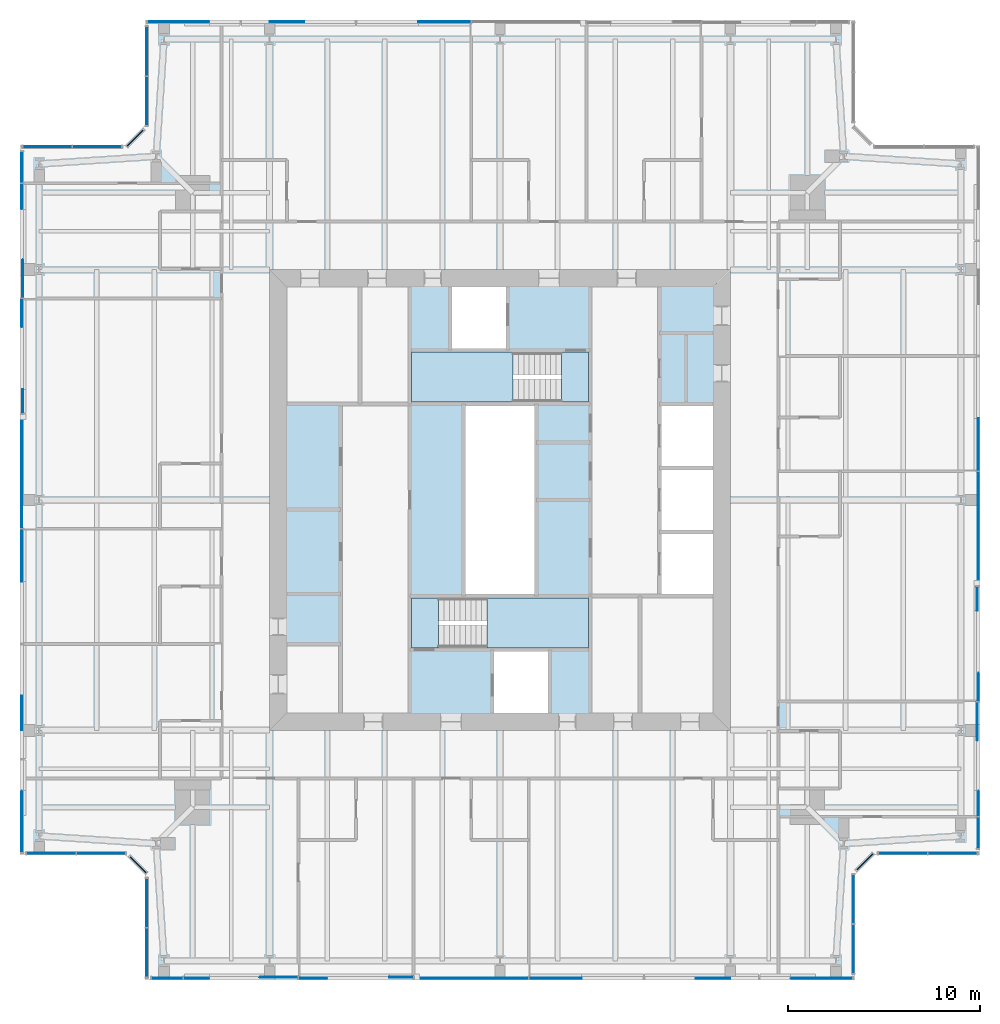
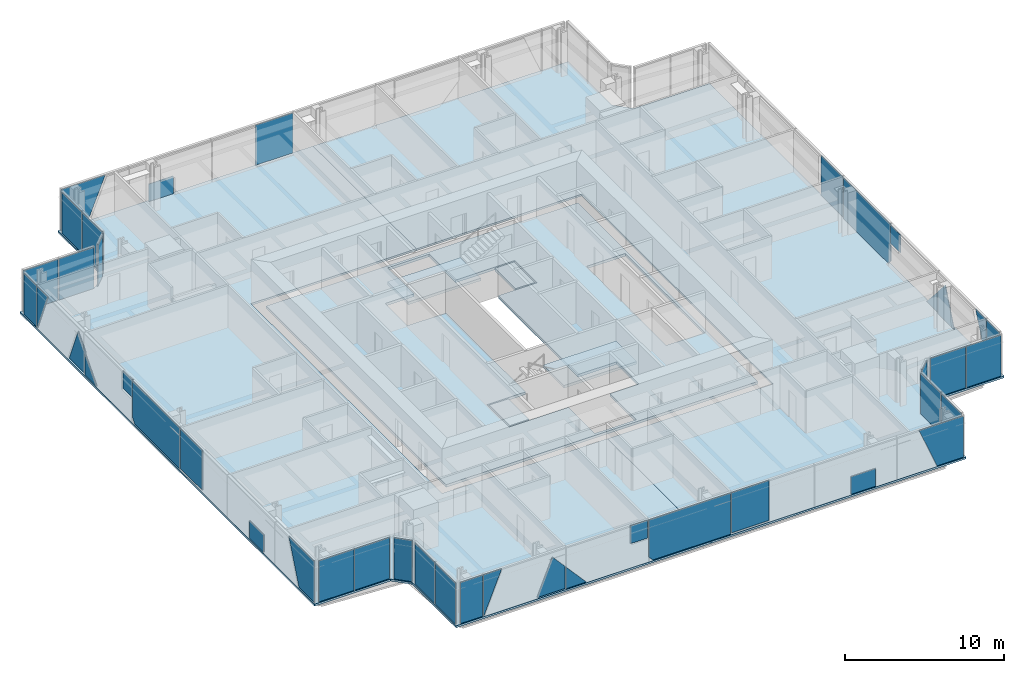
# One storey, part 10 of 18: 43 plates, 7 slabs, 15 elements without a shape of their own.
"""IFC4 building model written with IfcOpenShell, lengths in metres."""

from ifc_helpers import new_model, si_unit, direction, frame, origin, origin_2d, place, context, subcontext, project, spatial, polyline, rectangle, outline, extrude, material, layer, layer_set, type_object, element, aggregate, save


model = new_model("IFC4")

# Units and contexts
model_context = context("Model", 3, precision=1e-05, world=origin(), true_north=direction((0.0, 1.0)))
body_context = subcontext(model_context, "Body", "Model", "MODEL_VIEW")
ifc_project = project(units=[si_unit("LENGTHUNIT", "METRE"), si_unit("AREAUNIT", "SQUARE_METRE"), si_unit("VOLUMEUNIT", "CUBIC_METRE"), si_unit("PLANEANGLEUNIT", "RADIAN"), si_unit("MASSUNIT", "GRAM", prefix="KILO")], contexts=[model_context])

# Site, building, storey
site_placement = place(None, origin())
site = spatial("IfcSite", under=ifc_project, at=site_placement, CompositionType="ELEMENT")
building_placement = place(site_placement, origin())
building = spatial("IfcBuilding", under=site, at=building_placement, Name="Fenwick Lantern Interchange", CompositionType="ELEMENT")
storey_placement = place(building_placement, frame((0.0, 0.0, 290.0)))
storey = spatial("IfcBuildingStorey", under=building, at=storey_placement, Name="L70", CompositionType="ELEMENT", Elevation=290.0)

# Slabs
ifc_material_1 = material(Name="Concrete f'c 35 MPa", Category="concrete")
ifc_layer_1 = layer(ifc_material_1, 0.199951171875)
ifc_layer_set_1 = layer_set([ifc_layer_1], Name="CORE FLOOR SLAB 200")
slab_type_1 = type_object("IfcSlabType", Name="CORE FLOOR SLAB 200", PredefinedType="FLOOR", material=ifc_layer_set_1)
slab_1_placement = place(storey_placement, frame((0.0, 0.0, -0.199951171875)))
element("IfcSlab", 1, at=slab_1_placement, inside=storey, type_object=slab_type_1, Name="L70/SLAB/CORE", PredefinedType="FLOOR", context=body_context, shape_type="SweptSolid", body=[
    extrude(outline(polyline([(13.699951171875, 36.300048828125), (36.300048828125, 36.300048828125), (36.300048828125, 13.699951171875), (13.699951171875, 13.699951171875), (13.699951171875, 36.300048828125)]), holes=[polyline([(24.60009765625, 13.89990234375), (27.60009765625, 13.89990234375), (27.60009765625, 17.199951171875), (29.699951171875, 17.199951171875), (29.699951171875, 20.0), (26.89990234375, 20.0), (26.89990234375, 30.0), (29.699951171875, 30.0), (29.699951171875, 32.800048828125), (25.39990234375, 32.800048828125), (25.39990234375, 36.10009765625), (22.39990234375, 36.10009765625), (22.39990234375, 32.800048828125), (20.300048828125, 32.800048828125), (20.300048828125, 30.0), (23.10009765625, 30.0), (23.10009765625, 20.0), (20.300048828125, 20.0), (20.300048828125, 17.199951171875), (24.60009765625, 17.199951171875), (24.60009765625, 13.89990234375)]), polyline([(33.300048828125, 20.0), (36.10009765625, 20.0), (36.10009765625, 23.333251953125), (36.10009765625, 26.666748046875), (36.10009765625, 30.0), (33.300048828125, 30.0), (33.300048828125, 26.666748046875), (33.300048828125, 23.333251953125), (33.300048828125, 20.0)])]), origin(), (0.0, 0.0, 1.0), 0.199951171875),
])
ifc_material_2 = material(Name="Concrete f'c 35 MPa", Category="concrete")
ifc_layer_2 = layer(ifc_material_2, 0.14990234375)
ifc_layer_set_2 = layer_set([ifc_layer_2], Name="Concrete f'c 35 MPa")
slab_type_2 = type_object("IfcSlabType", Name="FLOOR SLAB 150", PredefinedType="FLOOR", material=ifc_layer_set_2)
slab_2_placement = place(storey_placement, frame((0.0, 0.0, -0.14990234375)))
element("IfcSlab", 2, at=slab_2_placement, inside=storey, type_object=slab_type_2, Name="L70/SLAB/FW", PredefinedType="FLOOR", context=body_context, shape_type="SweptSolid", body=[
    extrude(outline(polyline([(6.5, 0.0), (6.5, 5.5), (5.5, 6.5), (0.0, 6.5), (0.0, 43.5), (5.5, 43.5), (6.5, 44.5), (6.5, 50.0), (25.0, 50.0), (25.0, 37.0), (13.0, 37.0), (13.0, 13.0), (25.0, 13.0), (25.0, 0.0), (6.5, 0.0)])), origin(), (0.0, 0.0, 1.0), 0.14990234375),
])
slab_3_placement = place(storey_placement, frame((0.0, 0.0, -0.14990234375)))
element("IfcSlab", 3, at=slab_3_placement, inside=storey, type_object=slab_type_2, Name="L70/SLAB/FE", PredefinedType="FLOOR", context=body_context, shape_type="SweptSolid", body=[
    extrude(outline(polyline([(43.5, 50.0), (43.5, 44.5), (44.5, 43.5), (50.0, 43.5), (50.0, 6.5), (44.5, 6.5), (43.5, 5.5), (43.5, 0.0), (25.0, 0.0), (25.0, 13.0), (37.0, 13.0), (37.0, 37.0), (25.0, 37.0), (25.0, 50.0), (43.5, 50.0)])), origin(), (0.0, 0.0, 1.0), 0.14990234375),
])

# Curtain wall, plates
ifc_material_3 = material(Name="Aluminium curtain wall frame", Category="aluminium")
curtain_wall_type = type_object("IfcCurtainWallType", Name="HOTEL CURTAIN WALL", PredefinedType="USERDEFINED", material=ifc_material_3)
curtain_wall_1_placement = place(storey_placement, origin())
curtain_wall_1 = element("IfcCurtainWall", 4, at=curtain_wall_1_placement, inside=storey, type_object=curtain_wall_type, Name="Hotel curtain wall 01", ObjectType="HOTEL CURTAIN WALL", PredefinedType="USERDEFINED")
ifc_material_4 = material(Name="Vision glass, acoustic laminated double glazed unit", Category="glass")
ifc_layer_3 = layer(ifc_material_4, 0.052001953125)
ifc_layer_set_3 = layer_set([ifc_layer_3], Name="HOTEL CURTAIN WALL PANEL 52")
plate_type = type_object("IfcPlateType", Name="HOTEL CURTAIN WALL PANEL 52", PredefinedType="CURTAIN_PANEL", material=ifc_layer_set_3)
plate_1_placement = place(storey_placement, frame((7.6650390625, 0.10009765625, 0.0), z_axis=(0.0, 0.0, 1.0), x_axis=(1.0, 0.0, 0.0)))
plate_1 = element("IfcPlate", 5, at=plate_1_placement, type_object=plate_type, Name="L70/CW/01/P00", PredefinedType="CURTAIN_PANEL", context=body_context, shape_type="SweptSolid", body=[
    extrude(rectangle(XDim=1.610107421875, YDim=0.052001953125, at=origin_2d()), origin(), (0.0, 0.0, 1.0), 3.14990234375),
])
plate_2_placement = place(storey_placement, frame((6.60009765625, 0.10009765625, 0.0), z_axis=(0.0, 0.0, 1.0), x_axis=(1.0, 0.0, 0.0)))
plate_2 = element("IfcPlate", 6, at=plate_2_placement, type_object=plate_type, Name="L70/CW/01/P01a", PredefinedType="CURTAIN_PANEL", context=body_context, shape_type="SweptSolid", body=[
    extrude(outline(polyline([(1.929931640625, 0.0), (1.9765625, 0.0), (3.261474609375, 3.14990234375), (1.929931640625, 3.14990234375), (1.929931640625, 0.0)])), frame((0.0, 0.02587890625, 0.0), z_axis=(0.0, -1.0, 0.0), x_axis=(1.0, 0.0, 0.0)), (0.0, 0.0, 1.0), 0.052001953125),
])
plate_3_placement = place(storey_placement, frame((6.60009765625, 0.10009765625, 0.0), z_axis=(0.0, 0.0, 1.0), x_axis=(1.0, 0.0, 0.0)))
plate_3 = element("IfcPlate", 7, at=plate_3_placement, type_object=plate_type, Name="L70/CW/01/P01b", PredefinedType="CURTAIN_PANEL", context=body_context, shape_type="SweptSolid", body=[
    extrude(outline(polyline([(5.864501953125, 0.0), (7.8701171875, 0.0), (7.8701171875, 1.719482421875), (6.975830078125, 2.724365234375), (5.864501953125, 0.0)])), frame((0.0, 0.080078125, 0.0), z_axis=(0.0, -1.0, 0.0), x_axis=(1.0, 0.0, 0.0)), (0.0, 0.0, 1.0), 0.052001953125),
])
plate_4_placement = place(storey_placement, frame((6.60009765625, 0.10009765625, 0.0), z_axis=(0.0, 0.0, 1.0), x_axis=(1.0, 0.0, 0.0)))
plate_4 = element("IfcPlate", 8, at=plate_4_placement, type_object=plate_type, Name="L70/CW/01/P02a", PredefinedType="CURTAIN_PANEL", context=body_context, shape_type="SweptSolid", body=[
    extrude(outline(polyline([(7.929931640625, 0.0), (9.400146484375, 0.0), (7.929931640625, 1.652099609375), (7.929931640625, 0.0)])), frame((0.0, 0.02587890625, 0.0), z_axis=(0.0, -1.0, 0.0), x_axis=(1.0, 0.0, 0.0)), (0.0, 0.0, 1.0), 0.052001953125),
])
plate_5_placement = place(storey_placement, frame((6.60009765625, 0.10009765625, 1.7734375), z_axis=(0.0, 0.0, 1.0), x_axis=(1.0, 0.0, 0.0)))
plate_5 = element("IfcPlate", 9, at=plate_5_placement, type_object=plate_type, Name="L70/CW/01/P02b", PredefinedType="CURTAIN_PANEL", context=body_context, shape_type="SweptSolid", body=[
    extrude(outline(polyline([(12.640869140625, 0.0), (13.8701171875, 0.0), (13.8701171875, 1.37646484375), (12.640869140625, 1.37646484375), (12.640869140625, 0.0)])), frame((0.0, 0.080078125, 0.0), z_axis=(0.0, -1.0, 0.0), x_axis=(1.0, 0.0, 0.0)), (0.0, 0.0, 1.0), 0.052001953125),
])
plate_6_placement = place(storey_placement, frame((6.60009765625, 0.10009765625, 0.0), z_axis=(0.0, 0.0, 1.0), x_axis=(1.0, 0.0, 0.0)))
plate_6 = element("IfcPlate", 10, at=plate_6_placement, type_object=plate_type, Name="L70/CW/01/P03a", PredefinedType="CURTAIN_PANEL", context=body_context, shape_type="SweptSolid", body=[
    extrude(outline(polyline([(14.218994140625, 0.0), (19.8701171875, 0.0), (19.8701171875, 3.14990234375), (13.929931640625, 3.14990234375), (13.929931640625, 0.324951171875), (14.218994140625, 0.0)])), frame((0.0, 0.02587890625, 0.0), z_axis=(0.0, -1.0, 0.0), x_axis=(1.0, 0.0, 0.0)), (0.0, 0.0, 1.0), 0.052001953125),
])
plate_7_placement = place(storey_placement, frame((6.60009765625, 0.10009765625, 0.083251953125), z_axis=(0.0, 0.0, 1.0), x_axis=(1.0, 0.0, 0.0)))
plate_7 = element("IfcPlate", 11, at=plate_7_placement, type_object=plate_type, Name="L70/CW/01/P04a", PredefinedType="CURTAIN_PANEL", context=body_context, shape_type="SweptSolid", body=[
    extrude(outline(polyline([(19.929931640625, 0.0), (22.655029296875, 0.0), (22.655029296875, 3.066650390625), (19.929931640625, 3.066650390625), (19.929931640625, 0.0)])), frame((0.0, 0.02587890625, 0.0), z_axis=(0.0, -1.0, 0.0), x_axis=(1.0, 0.0, 0.0)), (0.0, 0.0, 1.0), 0.052001953125),
])
plate_8_placement = place(storey_placement, frame((6.60009765625, 0.10009765625, 0.0), z_axis=(0.0, 0.0, 1.0), x_axis=(1.0, 0.0, 0.0)))
plate_8 = element("IfcPlate", 12, at=plate_8_placement, type_object=plate_type, Name="L70/CW/01/P05a", PredefinedType="CURTAIN_PANEL", context=body_context, shape_type="SweptSolid", body=[
    extrude(outline(polyline([(28.599853515625, 0.0), (30.385009765625, 0.0), (30.385009765625, 1.348388671875), (28.599853515625, 1.348388671875), (28.599853515625, 0.0)])), frame((0.0, 0.02587890625, 0.0), z_axis=(0.0, -1.0, 0.0), x_axis=(1.0, 0.0, 0.0)), (0.0, 0.0, 1.0), 0.052001953125),
])
plate_9_placement = place(storey_placement, frame((6.60009765625, 0.10009765625, 0.0), z_axis=(0.0, 0.0, 1.0), x_axis=(1.0, 0.0, 0.0)))
plate_9 = element("IfcPlate", 13, at=plate_9_placement, type_object=plate_type, Name="L70/CW/01/P06a", PredefinedType="CURTAIN_PANEL", context=body_context, shape_type="SweptSolid", body=[
    extrude(outline(polyline([(34.8232421875, 0.0), (36.739990234375, 0.0), (36.739990234375, 3.14990234375), (33.53857421875, 3.14990234375), (34.8232421875, 0.0)])), frame((0.0, 0.02587890625, 0.0), z_axis=(0.0, -1.0, 0.0), x_axis=(1.0, 0.0, 0.0)), (0.0, 0.0, 1.0), 0.052001953125),
])
aggregate(curtain_wall_1, [plate_1, plate_2, plate_3, plate_4, plate_5, plate_6, plate_7, plate_8, plate_9])

curtain_wall_2_placement = place(storey_placement, origin())
curtain_wall_2 = element("IfcCurtainWall", 14, at=curtain_wall_2_placement, inside=storey, type_object=curtain_wall_type, Name="Hotel curtain wall 02", ObjectType="HOTEL CURTAIN WALL", PredefinedType="USERDEFINED")
plate_10_placement = place(storey_placement, frame((43.39990234375, 1.625244140625, 0.0), z_axis=(0.0, 0.0, 1.0), x_axis=(0.0, 1.0, 0.0)))
plate_10 = element("IfcPlate", 15, at=plate_10_placement, type_object=plate_type, Name="L70/CW/02/P00", PredefinedType="CURTAIN_PANEL", context=body_context, shape_type="SweptSolid", body=[
    extrude(rectangle(XDim=2.53076171875, YDim=0.052001953125, at=origin_2d()), origin(), (0.0, 0.0, 1.0), 3.14990234375),
])
plate_11_placement = place(storey_placement, frame((43.39990234375, 4.216064453125, 0.0), z_axis=(0.0, 0.0, 1.0), x_axis=(0.0, 1.0, 0.0)))
plate_11 = element("IfcPlate", 16, at=plate_11_placement, type_object=plate_type, Name="L70/CW/02/P01", PredefinedType="CURTAIN_PANEL", context=body_context, shape_type="SweptSolid", body=[
    extrude(rectangle(XDim=2.53076171875, YDim=0.052001953125, at=origin_2d()), origin(), (0.0, 0.0, 1.0), 3.14990234375),
])
aggregate(curtain_wall_2, [plate_10, plate_11])

# Curtain wall, plate
curtain_wall_3_placement = place(storey_placement, origin())
curtain_wall_3 = element("IfcCurtainWall", 17, at=curtain_wall_3_placement, inside=storey, type_object=curtain_wall_type, Name="Hotel curtain wall 03", ObjectType="HOTEL CURTAIN WALL", PredefinedType="USERDEFINED")
plate_12_placement = place(storey_placement, frame((44.0, 6.141357421875, 0.0), z_axis=(0.0, 0.0, 1.0), x_axis=(0.707106781187, 0.707106781187, 0.0)))
plate_12 = element("IfcPlate", 18, at=plate_12_placement, type_object=plate_type, Name="L70/CW/03/P00", PredefinedType="CURTAIN_PANEL", context=body_context, shape_type="SweptSolid", body=[
    extrude(rectangle(XDim=1.177001953125, YDim=0.052001953125, at=origin_2d()), origin(), (0.0, 0.0, 1.0), 3.14990234375),
])
aggregate(curtain_wall_3, [plate_12])

# Curtain wall, plates
curtain_wall_4_placement = place(storey_placement, origin())
curtain_wall_4 = element("IfcCurtainWall", 19, at=curtain_wall_4_placement, inside=storey, type_object=curtain_wall_type, Name="Hotel curtain wall 04", ObjectType="HOTEL CURTAIN WALL", PredefinedType="USERDEFINED")
plate_13_placement = place(storey_placement, frame((45.98388671875, 6.60009765625, 0.0), z_axis=(0.0, 0.0, 1.0), x_axis=(1.0, 0.0, 0.0)))
plate_13 = element("IfcPlate", 20, at=plate_13_placement, type_object=plate_type, Name="L70/CW/04/P00", PredefinedType="CURTAIN_PANEL", context=body_context, shape_type="SweptSolid", body=[
    extrude(rectangle(XDim=2.53076171875, YDim=0.052001953125, at=origin_2d()), origin(), (0.0, 0.0, 1.0), 3.14990234375),
])
plate_14_placement = place(storey_placement, frame((48.57470703125, 6.60009765625, 0.0), z_axis=(0.0, 0.0, 1.0), x_axis=(1.0, 0.0, 0.0)))
plate_14 = element("IfcPlate", 21, at=plate_14_placement, type_object=plate_type, Name="L70/CW/04/P01", PredefinedType="CURTAIN_PANEL", context=body_context, shape_type="SweptSolid", body=[
    extrude(rectangle(XDim=2.53076171875, YDim=0.052001953125, at=origin_2d()), origin(), (0.0, 0.0, 1.0), 3.14990234375),
])
aggregate(curtain_wall_4, [plate_13, plate_14])

curtain_wall_5_placement = place(storey_placement, origin())
curtain_wall_5 = element("IfcCurtainWall", 22, at=curtain_wall_5_placement, inside=storey, type_object=curtain_wall_type, Name="Hotel curtain wall 05", ObjectType="HOTEL CURTAIN WALL", PredefinedType="USERDEFINED")
plate_15_placement = place(storey_placement, frame((49.89990234375, 7.6650390625, 0.0), z_axis=(0.0, 0.0, 1.0), x_axis=(0.0, 1.0, 0.0)))
plate_15 = element("IfcPlate", 23, at=plate_15_placement, type_object=plate_type, Name="L70/CW/05/P00", PredefinedType="CURTAIN_PANEL", context=body_context, shape_type="SweptSolid", body=[
    extrude(rectangle(XDim=1.610107421875, YDim=0.052001953125, at=origin_2d()), origin(), (0.0, 0.0, 1.0), 3.14990234375),
])
plate_16_placement = place(storey_placement, frame((49.89990234375, 6.60009765625, 0.0), z_axis=(0.0, 0.0, 1.0), x_axis=(0.0, 1.0, 0.0)))
plate_16 = element("IfcPlate", 24, at=plate_16_placement, type_object=plate_type, Name="L70/CW/05/P01a", PredefinedType="CURTAIN_PANEL", context=body_context, shape_type="SweptSolid", body=[
    extrude(outline(polyline([(1.929931640625, 0.0), (1.9765625, 0.0), (3.261474609375, 3.14990234375), (1.929931640625, 3.14990234375), (1.929931640625, 0.0)])), frame((0.0, 0.02587890625, 0.0), z_axis=(0.0, -1.0, 0.0), x_axis=(1.0, 0.0, 0.0)), (0.0, 0.0, 1.0), 0.052001953125),
])
plate_17_placement = place(storey_placement, frame((49.89990234375, 6.60009765625, 0.0), z_axis=(0.0, 0.0, 1.0), x_axis=(0.0, 1.0, 0.0)))
plate_17 = element("IfcPlate", 25, at=plate_17_placement, type_object=plate_type, Name="L70/CW/05/P01b", PredefinedType="CURTAIN_PANEL", context=body_context, shape_type="SweptSolid", body=[
    extrude(outline(polyline([(5.864501953125, 0.0), (7.8701171875, 0.0), (7.8701171875, 1.719482421875), (6.975830078125, 2.724365234375), (5.864501953125, 0.0)])), frame((0.0, 0.080078125, 0.0), z_axis=(0.0, -1.0, 0.0), x_axis=(1.0, 0.0, 0.0)), (0.0, 0.0, 1.0), 0.052001953125),
])
plate_18_placement = place(storey_placement, frame((49.89990234375, 6.60009765625, 0.0), z_axis=(0.0, 0.0, 1.0), x_axis=(0.0, 1.0, 0.0)))
plate_18 = element("IfcPlate", 26, at=plate_18_placement, type_object=plate_type, Name="L70/CW/05/P02a", PredefinedType="CURTAIN_PANEL", context=body_context, shape_type="SweptSolid", body=[
    extrude(outline(polyline([(7.929931640625, 0.0), (9.400146484375, 0.0), (7.929931640625, 1.652099609375), (7.929931640625, 0.0)])), frame((0.0, 0.02587890625, 0.0), z_axis=(0.0, -1.0, 0.0), x_axis=(1.0, 0.0, 0.0)), (0.0, 0.0, 1.0), 0.052001953125),
])
plate_19_placement = place(storey_placement, frame((49.89990234375, 6.60009765625, 1.7734375), z_axis=(0.0, 0.0, 1.0), x_axis=(0.0, 1.0, 0.0)))
plate_19 = element("IfcPlate", 27, at=plate_19_placement, type_object=plate_type, Name="L70/CW/05/P02b", PredefinedType="CURTAIN_PANEL", context=body_context, shape_type="SweptSolid", body=[
    extrude(outline(polyline([(12.640869140625, 0.0), (13.8701171875, 0.0), (13.8701171875, 1.37646484375), (12.640869140625, 1.37646484375), (12.640869140625, 0.0)])), frame((0.0, 0.080078125, 0.0), z_axis=(0.0, -1.0, 0.0), x_axis=(1.0, 0.0, 0.0)), (0.0, 0.0, 1.0), 0.052001953125),
])
plate_20_placement = place(storey_placement, frame((49.89990234375, 6.60009765625, 0.0), z_axis=(0.0, 0.0, 1.0), x_axis=(0.0, 1.0, 0.0)))
plate_20 = element("IfcPlate", 28, at=plate_20_placement, type_object=plate_type, Name="L70/CW/05/P03a", PredefinedType="CURTAIN_PANEL", context=body_context, shape_type="SweptSolid", body=[
    extrude(outline(polyline([(14.218994140625, 0.0), (19.8701171875, 0.0), (19.8701171875, 3.14990234375), (13.929931640625, 3.14990234375), (13.929931640625, 0.324951171875), (14.218994140625, 0.0)])), frame((0.0, 0.02587890625, 0.0), z_axis=(0.0, -1.0, 0.0), x_axis=(1.0, 0.0, 0.0)), (0.0, 0.0, 1.0), 0.052001953125),
])
plate_21_placement = place(storey_placement, frame((49.89990234375, 6.60009765625, 0.083251953125), z_axis=(0.0, 0.0, 1.0), x_axis=(0.0, 1.0, 0.0)))
plate_21 = element("IfcPlate", 29, at=plate_21_placement, type_object=plate_type, Name="L70/CW/05/P04a", PredefinedType="CURTAIN_PANEL", context=body_context, shape_type="SweptSolid", body=[
    extrude(outline(polyline([(19.929931640625, 0.0), (22.655029296875, 0.0), (22.655029296875, 3.066650390625), (19.929931640625, 3.066650390625), (19.929931640625, 0.0)])), frame((0.0, 0.02587890625, 0.0), z_axis=(0.0, -1.0, 0.0), x_axis=(1.0, 0.0, 0.0)), (0.0, 0.0, 1.0), 0.052001953125),
])
aggregate(curtain_wall_5, [plate_15, plate_16, plate_17, plate_18, plate_19, plate_20, plate_21])

curtain_wall_6_placement = place(storey_placement, origin())
curtain_wall_6 = element("IfcCurtainWall", 30, at=curtain_wall_6_placement, inside=storey, type_object=curtain_wall_type, Name="Hotel curtain wall 09", ObjectType="HOTEL CURTAIN WALL", PredefinedType="USERDEFINED")
plate_22_placement = place(storey_placement, frame((43.39990234375, 49.89990234375, 0.083251953125), z_axis=(0.0, 0.0, 1.0), x_axis=(-1.0, 0.0, 0.0)))
plate_22 = element("IfcPlate", 31, at=plate_22_placement, type_object=plate_type, Name="L70/CW/09/P04a", PredefinedType="CURTAIN_PANEL", context=body_context, shape_type="SweptSolid", body=[
    extrude(outline(polyline([(19.929931640625, 0.0), (22.655029296875, 0.0), (22.655029296875, 3.066650390625), (19.929931640625, 3.066650390625), (19.929931640625, 0.0)])), frame((0.0, 0.02587890625, 0.0), z_axis=(0.0, -1.0, 0.0), x_axis=(1.0, 0.0, 0.0)), (0.0, 0.0, 1.0), 0.052001953125),
])
plate_23_placement = place(storey_placement, frame((43.39990234375, 49.89990234375, 0.0), z_axis=(0.0, 0.0, 1.0), x_axis=(-1.0, 0.0, 0.0)))
plate_23 = element("IfcPlate", 32, at=plate_23_placement, type_object=plate_type, Name="L70/CW/09/P05a", PredefinedType="CURTAIN_PANEL", context=body_context, shape_type="SweptSolid", body=[
    extrude(outline(polyline([(28.599853515625, 0.0), (30.385009765625, 0.0), (30.385009765625, 1.348388671875), (28.599853515625, 1.348388671875), (28.599853515625, 0.0)])), frame((0.0, 0.02587890625, 0.0), z_axis=(0.0, -1.0, 0.0), x_axis=(1.0, 0.0, 0.0)), (0.0, 0.0, 1.0), 0.052001953125),
])
plate_24_placement = place(storey_placement, frame((43.39990234375, 49.89990234375, 0.0), z_axis=(0.0, 0.0, 1.0), x_axis=(-1.0, 0.0, 0.0)))
plate_24 = element("IfcPlate", 33, at=plate_24_placement, type_object=plate_type, Name="L70/CW/09/P06a", PredefinedType="CURTAIN_PANEL", context=body_context, shape_type="SweptSolid", body=[
    extrude(outline(polyline([(34.8232421875, 0.0), (36.739990234375, 0.0), (36.739990234375, 3.14990234375), (33.53857421875, 3.14990234375), (34.8232421875, 0.0)])), frame((0.0, 0.02587890625, 0.0), z_axis=(0.0, -1.0, 0.0), x_axis=(1.0, 0.0, 0.0)), (0.0, 0.0, 1.0), 0.052001953125),
])
aggregate(curtain_wall_6, [plate_22, plate_23, plate_24])

curtain_wall_7_placement = place(storey_placement, origin())
curtain_wall_7 = element("IfcCurtainWall", 34, at=curtain_wall_7_placement, inside=storey, type_object=curtain_wall_type, Name="Hotel curtain wall 10", ObjectType="HOTEL CURTAIN WALL", PredefinedType="USERDEFINED")
plate_25_placement = place(storey_placement, frame((6.60009765625, 48.374755859375, 0.0), z_axis=(0.0, 0.0, 1.0), x_axis=(0.0, -1.0, 0.0)))
plate_25 = element("IfcPlate", 35, at=plate_25_placement, type_object=plate_type, Name="L70/CW/10/P00", PredefinedType="CURTAIN_PANEL", context=body_context, shape_type="SweptSolid", body=[
    extrude(rectangle(XDim=2.53076171875, YDim=0.052001953125, at=origin_2d()), origin(), (0.0, 0.0, 1.0), 3.14990234375),
])
plate_26_placement = place(storey_placement, frame((6.60009765625, 45.783935546875, 0.0), z_axis=(0.0, 0.0, 1.0), x_axis=(0.0, -1.0, 0.0)))
plate_26 = element("IfcPlate", 36, at=plate_26_placement, type_object=plate_type, Name="L70/CW/10/P01", PredefinedType="CURTAIN_PANEL", context=body_context, shape_type="SweptSolid", body=[
    extrude(rectangle(XDim=2.53076171875, YDim=0.052001953125, at=origin_2d()), origin(), (0.0, 0.0, 1.0), 3.14990234375),
])
aggregate(curtain_wall_7, [plate_25, plate_26])

# Curtain wall, plate
curtain_wall_8_placement = place(storey_placement, origin())
curtain_wall_8 = element("IfcCurtainWall", 37, at=curtain_wall_8_placement, inside=storey, type_object=curtain_wall_type, Name="Hotel curtain wall 11", ObjectType="HOTEL CURTAIN WALL", PredefinedType="USERDEFINED")
plate_27_placement = place(storey_placement, frame((6.0, 43.858642578125, 0.0), z_axis=(0.0, 0.0, 1.0), x_axis=(-0.707106781187, -0.707106781187, 0.0)))
plate_27 = element("IfcPlate", 38, at=plate_27_placement, type_object=plate_type, Name="L70/CW/11/P00", PredefinedType="CURTAIN_PANEL", context=body_context, shape_type="SweptSolid", body=[
    extrude(rectangle(XDim=1.177001953125, YDim=0.052001953125, at=origin_2d()), origin(), (0.0, 0.0, 1.0), 3.14990234375),
])
aggregate(curtain_wall_8, [plate_27])

# Curtain wall, plates
curtain_wall_9_placement = place(storey_placement, origin())
curtain_wall_9 = element("IfcCurtainWall", 39, at=curtain_wall_9_placement, inside=storey, type_object=curtain_wall_type, Name="Hotel curtain wall 12", ObjectType="HOTEL CURTAIN WALL", PredefinedType="USERDEFINED")
plate_28_placement = place(storey_placement, frame((4.01611328125, 43.39990234375, 0.0), z_axis=(0.0, 0.0, 1.0), x_axis=(-1.0, 0.0, 0.0)))
plate_28 = element("IfcPlate", 40, at=plate_28_placement, type_object=plate_type, Name="L70/CW/12/P00", PredefinedType="CURTAIN_PANEL", context=body_context, shape_type="SweptSolid", body=[
    extrude(rectangle(XDim=2.53076171875, YDim=0.052001953125, at=origin_2d()), origin(), (0.0, 0.0, 1.0), 3.14990234375),
])
plate_29_placement = place(storey_placement, frame((1.42529296875, 43.39990234375, 0.0), z_axis=(0.0, 0.0, 1.0), x_axis=(-1.0, 0.0, 0.0)))
plate_29 = element("IfcPlate", 41, at=plate_29_placement, type_object=plate_type, Name="L70/CW/12/P01", PredefinedType="CURTAIN_PANEL", context=body_context, shape_type="SweptSolid", body=[
    extrude(rectangle(XDim=2.53076171875, YDim=0.052001953125, at=origin_2d()), origin(), (0.0, 0.0, 1.0), 3.14990234375),
])
aggregate(curtain_wall_9, [plate_28, plate_29])

curtain_wall_10_placement = place(storey_placement, origin())
curtain_wall_10 = element("IfcCurtainWall", 42, at=curtain_wall_10_placement, inside=storey, type_object=curtain_wall_type, Name="Hotel curtain wall 13", ObjectType="HOTEL CURTAIN WALL", PredefinedType="USERDEFINED")
plate_30_placement = place(storey_placement, frame((0.10009765625, 42.3349609375, 0.0), z_axis=(0.0, 0.0, 1.0), x_axis=(0.0, -1.0, 0.0)))
plate_30 = element("IfcPlate", 43, at=plate_30_placement, type_object=plate_type, Name="L70/CW/13/P00", PredefinedType="CURTAIN_PANEL", context=body_context, shape_type="SweptSolid", body=[
    extrude(rectangle(XDim=1.610107421875, YDim=0.052001953125, at=origin_2d()), origin(), (0.0, 0.0, 1.0), 3.14990234375),
])
plate_31_placement = place(storey_placement, frame((0.10009765625, 43.39990234375, 0.0), z_axis=(0.0, 0.0, 1.0), x_axis=(0.0, -1.0, 0.0)))
plate_31 = element("IfcPlate", 44, at=plate_31_placement, type_object=plate_type, Name="L70/CW/13/P01a", PredefinedType="CURTAIN_PANEL", context=body_context, shape_type="SweptSolid", body=[
    extrude(outline(polyline([(1.929931640625, 0.0), (1.9765625, 0.0), (3.261474609375, 3.14990234375), (1.929931640625, 3.14990234375), (1.929931640625, 0.0)])), frame((0.0, 0.02587890625, 0.0), z_axis=(0.0, -1.0, 0.0), x_axis=(1.0, 0.0, 0.0)), (0.0, 0.0, 1.0), 0.052001953125),
])
plate_32_placement = place(storey_placement, frame((0.10009765625, 43.39990234375, 0.0), z_axis=(0.0, 0.0, 1.0), x_axis=(0.0, -1.0, 0.0)))
plate_32 = element("IfcPlate", 45, at=plate_32_placement, type_object=plate_type, Name="L70/CW/13/P01b", PredefinedType="CURTAIN_PANEL", context=body_context, shape_type="SweptSolid", body=[
    extrude(outline(polyline([(5.864501953125, 0.0), (7.8701171875, 0.0), (7.8701171875, 1.719482421875), (6.975830078125, 2.724365234375), (5.864501953125, 0.0)])), frame((0.0, 0.080078125, 0.0), z_axis=(0.0, -1.0, 0.0), x_axis=(1.0, 0.0, 0.0)), (0.0, 0.0, 1.0), 0.052001953125),
])
plate_33_placement = place(storey_placement, frame((0.10009765625, 43.39990234375, 0.0), z_axis=(0.0, 0.0, 1.0), x_axis=(0.0, -1.0, 0.0)))
plate_33 = element("IfcPlate", 46, at=plate_33_placement, type_object=plate_type, Name="L70/CW/13/P02a", PredefinedType="CURTAIN_PANEL", context=body_context, shape_type="SweptSolid", body=[
    extrude(outline(polyline([(7.929931640625, 0.0), (9.400146484375, 0.0), (7.929931640625, 1.652099609375), (7.929931640625, 0.0)])), frame((0.0, 0.02587890625, 0.0), z_axis=(0.0, -1.0, 0.0), x_axis=(1.0, 0.0, 0.0)), (0.0, 0.0, 1.0), 0.052001953125),
])
plate_34_placement = place(storey_placement, frame((0.10009765625, 43.39990234375, 1.7734375), z_axis=(0.0, 0.0, 1.0), x_axis=(0.0, -1.0, 0.0)))
plate_34 = element("IfcPlate", 47, at=plate_34_placement, type_object=plate_type, Name="L70/CW/13/P02b", PredefinedType="CURTAIN_PANEL", context=body_context, shape_type="SweptSolid", body=[
    extrude(outline(polyline([(12.640869140625, 0.0), (13.8701171875, 0.0), (13.8701171875, 1.37646484375), (12.640869140625, 1.37646484375), (12.640869140625, 0.0)])), frame((0.0, 0.080078125, 0.0), z_axis=(0.0, -1.0, 0.0), x_axis=(1.0, 0.0, 0.0)), (0.0, 0.0, 1.0), 0.052001953125),
])
plate_35_placement = place(storey_placement, frame((0.10009765625, 43.39990234375, 0.0), z_axis=(0.0, 0.0, 1.0), x_axis=(0.0, -1.0, 0.0)))
plate_35 = element("IfcPlate", 48, at=plate_35_placement, type_object=plate_type, Name="L70/CW/13/P03a", PredefinedType="CURTAIN_PANEL", context=body_context, shape_type="SweptSolid", body=[
    extrude(outline(polyline([(14.218994140625, 0.0), (19.8701171875, 0.0), (19.8701171875, 3.14990234375), (13.929931640625, 3.14990234375), (13.929931640625, 0.324951171875), (14.218994140625, 0.0)])), frame((0.0, 0.02587890625, 0.0), z_axis=(0.0, -1.0, 0.0), x_axis=(1.0, 0.0, 0.0)), (0.0, 0.0, 1.0), 0.052001953125),
])
plate_36_placement = place(storey_placement, frame((0.10009765625, 43.39990234375, 0.083251953125), z_axis=(0.0, 0.0, 1.0), x_axis=(0.0, -1.0, 0.0)))
plate_36 = element("IfcPlate", 49, at=plate_36_placement, type_object=plate_type, Name="L70/CW/13/P04a", PredefinedType="CURTAIN_PANEL", context=body_context, shape_type="SweptSolid", body=[
    extrude(outline(polyline([(19.929931640625, 0.0), (22.655029296875, 0.0), (22.655029296875, 3.066650390625), (19.929931640625, 3.066650390625), (19.929931640625, 0.0)])), frame((0.0, 0.02587890625, 0.0), z_axis=(0.0, -1.0, 0.0), x_axis=(1.0, 0.0, 0.0)), (0.0, 0.0, 1.0), 0.052001953125),
])
plate_37_placement = place(storey_placement, frame((0.10009765625, 43.39990234375, 0.0), z_axis=(0.0, 0.0, 1.0), x_axis=(0.0, -1.0, 0.0)))
plate_37 = element("IfcPlate", 50, at=plate_37_placement, type_object=plate_type, Name="L70/CW/13/P05a", PredefinedType="CURTAIN_PANEL", context=body_context, shape_type="SweptSolid", body=[
    extrude(outline(polyline([(28.599853515625, 0.0), (30.385009765625, 0.0), (30.385009765625, 1.348388671875), (28.599853515625, 1.348388671875), (28.599853515625, 0.0)])), frame((0.0, 0.02587890625, 0.0), z_axis=(0.0, -1.0, 0.0), x_axis=(1.0, 0.0, 0.0)), (0.0, 0.0, 1.0), 0.052001953125),
])
plate_38_placement = place(storey_placement, frame((0.10009765625, 43.39990234375, 0.0), z_axis=(0.0, 0.0, 1.0), x_axis=(0.0, -1.0, 0.0)))
plate_38 = element("IfcPlate", 51, at=plate_38_placement, type_object=plate_type, Name="L70/CW/13/P06a", PredefinedType="CURTAIN_PANEL", context=body_context, shape_type="SweptSolid", body=[
    extrude(outline(polyline([(34.8232421875, 0.0), (36.739990234375, 0.0), (36.739990234375, 3.14990234375), (33.53857421875, 3.14990234375), (34.8232421875, 0.0)])), frame((0.0, 0.02587890625, 0.0), z_axis=(0.0, -1.0, 0.0), x_axis=(1.0, 0.0, 0.0)), (0.0, 0.0, 1.0), 0.052001953125),
])
aggregate(curtain_wall_10, [plate_30, plate_31, plate_32, plate_33, plate_34, plate_35, plate_36, plate_37, plate_38])

curtain_wall_11_placement = place(storey_placement, origin())
curtain_wall_11 = element("IfcCurtainWall", 52, at=curtain_wall_11_placement, inside=storey, type_object=curtain_wall_type, Name="Hotel curtain wall 14", ObjectType="HOTEL CURTAIN WALL", PredefinedType="USERDEFINED")
plate_39_placement = place(storey_placement, frame((1.625244140625, 6.60009765625, 0.0), z_axis=(0.0, 0.0, 1.0), x_axis=(1.0, 0.0, 0.0)))
plate_39 = element("IfcPlate", 53, at=plate_39_placement, type_object=plate_type, Name="L70/CW/14/P00", PredefinedType="CURTAIN_PANEL", context=body_context, shape_type="SweptSolid", body=[
    extrude(rectangle(XDim=2.53076171875, YDim=0.052001953125, at=origin_2d()), origin(), (0.0, 0.0, 1.0), 3.14990234375),
])
plate_40_placement = place(storey_placement, frame((4.216064453125, 6.60009765625, 0.0), z_axis=(0.0, 0.0, 1.0), x_axis=(1.0, 0.0, 0.0)))
plate_40 = element("IfcPlate", 54, at=plate_40_placement, type_object=plate_type, Name="L70/CW/14/P01", PredefinedType="CURTAIN_PANEL", context=body_context, shape_type="SweptSolid", body=[
    extrude(rectangle(XDim=2.53076171875, YDim=0.052001953125, at=origin_2d()), origin(), (0.0, 0.0, 1.0), 3.14990234375),
])
aggregate(curtain_wall_11, [plate_39, plate_40])

# Curtain wall, plate
curtain_wall_12_placement = place(storey_placement, origin())
curtain_wall_12 = element("IfcCurtainWall", 55, at=curtain_wall_12_placement, inside=storey, type_object=curtain_wall_type, Name="Hotel curtain wall 15", ObjectType="HOTEL CURTAIN WALL", PredefinedType="USERDEFINED")
plate_41_placement = place(storey_placement, frame((6.141357421875, 6.0, 0.0), z_axis=(0.0, 0.0, 1.0), x_axis=(0.707106781187, -0.707106781187, 0.0)))
plate_41 = element("IfcPlate", 56, at=plate_41_placement, type_object=plate_type, Name="L70/CW/15/P00", PredefinedType="CURTAIN_PANEL", context=body_context, shape_type="SweptSolid", body=[
    extrude(rectangle(XDim=1.177001953125, YDim=0.052001953125, at=origin_2d()), origin(), (0.0, 0.0, 1.0), 3.14990234375),
])
aggregate(curtain_wall_12, [plate_41])

# Curtain wall, plates
curtain_wall_13_placement = place(storey_placement, origin())
curtain_wall_13 = element("IfcCurtainWall", 57, at=curtain_wall_13_placement, inside=storey, type_object=curtain_wall_type, Name="Hotel curtain wall 16", ObjectType="HOTEL CURTAIN WALL", PredefinedType="USERDEFINED")
plate_42_placement = place(storey_placement, frame((6.60009765625, 4.01611328125, 0.0), z_axis=(0.0, 0.0, 1.0), x_axis=(0.0, -1.0, 0.0)))
plate_42 = element("IfcPlate", 58, at=plate_42_placement, type_object=plate_type, Name="L70/CW/16/P00", PredefinedType="CURTAIN_PANEL", context=body_context, shape_type="SweptSolid", body=[
    extrude(rectangle(XDim=2.53076171875, YDim=0.052001953125, at=origin_2d()), origin(), (0.0, 0.0, 1.0), 3.14990234375),
])
plate_43_placement = place(storey_placement, frame((6.60009765625, 1.42529296875, 0.0), z_axis=(0.0, 0.0, 1.0), x_axis=(0.0, -1.0, 0.0)))
plate_43 = element("IfcPlate", 59, at=plate_43_placement, type_object=plate_type, Name="L70/CW/16/P01", PredefinedType="CURTAIN_PANEL", context=body_context, shape_type="SweptSolid", body=[
    extrude(rectangle(XDim=2.53076171875, YDim=0.052001953125, at=origin_2d()), origin(), (0.0, 0.0, 1.0), 3.14990234375),
])
aggregate(curtain_wall_13, [plate_42, plate_43])

# Stair, slabs
ifc_material_5 = material(Name="Precast concrete f'c 35 MPa", Category="concrete")
stair_type = type_object("IfcStairType", Name="EXIT STAIR 1200", PredefinedType="HALF_TURN_STAIR", material=ifc_material_5)
stair_1_placement = place(storey_placement, origin())
stair_1 = element("IfcStair", 60, at=stair_1_placement, inside=storey, type_object=stair_type, Name="Exit stair ST1", PredefinedType="HALF_TURN_STAIR")
ifc_layer_4 = layer(ifc_material_1, 0.199951171875)
ifc_layer_set_4 = layer_set([ifc_layer_4], Name="STAIR LANDING 200")
slab_type_3 = type_object("IfcSlabType", Name="STAIR LANDING 200", PredefinedType="LANDING", material=ifc_layer_set_4)
slab_4_placement = place(storey_placement, frame((0.0, 0.0, 1.5)))
slab_4 = element("IfcSlab", 61, at=slab_4_placement, type_object=slab_type_3, Name="ST1 landing 1", PredefinedType="LANDING", context=body_context, shape_type="SweptSolid", body=[
    extrude(outline(polyline([(24.320068359375, 17.300048828125), (29.60009765625, 17.300048828125), (29.60009765625, 19.89990234375), (24.320068359375, 19.89990234375), (24.320068359375, 17.300048828125)])), origin(), (0.0, 0.0, 1.0), 0.199951171875),
])
slab_5_placement = place(storey_placement, frame((0.0, 0.0, -0.199951171875)))
slab_5 = element("IfcSlab", 62, at=slab_5_placement, type_object=slab_type_3, Name="ST1 landing 2", PredefinedType="LANDING", context=body_context, shape_type="SweptSolid", body=[
    extrude(outline(polyline([(20.39990234375, 17.300048828125), (21.800048828125, 17.300048828125), (21.800048828125, 19.89990234375), (20.39990234375, 19.89990234375), (20.39990234375, 17.300048828125)])), origin(), (0.0, 0.0, 1.0), 0.199951171875),
])
aggregate(stair_1, [slab_4, slab_5])

stair_2_placement = place(storey_placement, origin())
stair_2 = element("IfcStair", 63, at=stair_2_placement, inside=storey, type_object=stair_type, Name="Exit stair ST2", PredefinedType="HALF_TURN_STAIR")
slab_6_placement = place(storey_placement, frame((0.0, 0.0, 1.5)))
slab_6 = element("IfcSlab", 64, at=slab_6_placement, type_object=slab_type_3, Name="ST2 landing 1", PredefinedType="LANDING", context=body_context, shape_type="SweptSolid", body=[
    extrude(outline(polyline([(25.679931640625, 32.699951171875), (20.39990234375, 32.699951171875), (20.39990234375, 30.10009765625), (25.679931640625, 30.10009765625), (25.679931640625, 32.699951171875)])), origin(), (0.0, 0.0, 1.0), 0.199951171875),
])
slab_7_placement = place(storey_placement, frame((0.0, 0.0, -0.199951171875)))
slab_7 = element("IfcSlab", 65, at=slab_7_placement, type_object=slab_type_3, Name="ST2 landing 2", PredefinedType="LANDING", context=body_context, shape_type="SweptSolid", body=[
    extrude(outline(polyline([(29.60009765625, 32.699951171875), (28.199951171875, 32.699951171875), (28.199951171875, 30.10009765625), (29.60009765625, 30.10009765625), (29.60009765625, 32.699951171875)])), origin(), (0.0, 0.0, 1.0), 0.199951171875),
])
aggregate(stair_2, [slab_6, slab_7])

save(model, "model.ifc")
